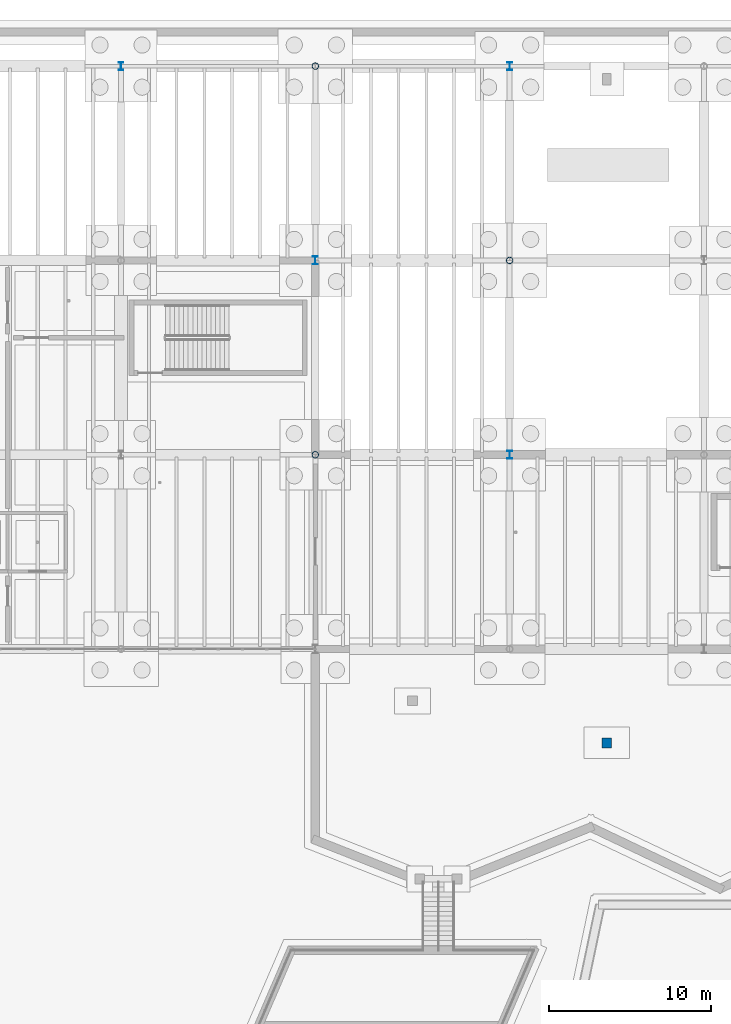
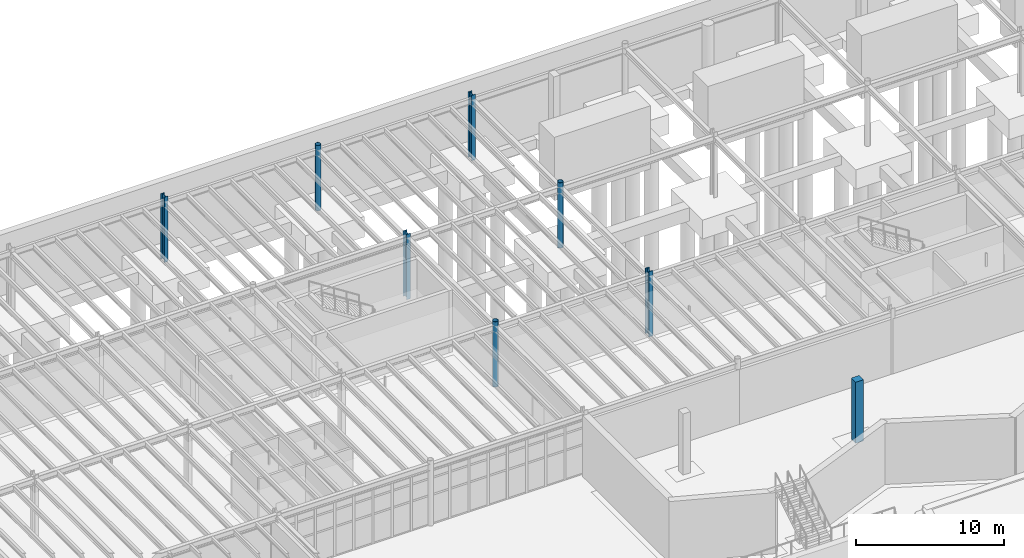
# One storey, part 15 of 67: 8 columns.
"""IFC4 building model written with IfcOpenShell, lengths in metres."""

import ifcopenshell
import ifcopenshell.guid

model = None  # the IFC model being written
_history = None  # IfcOwnerHistory: only IFC2X3 demands one
_inside = {}  # id of a spatial element -> (the spatial element, [elements in it])
_under = {}  # id of a project, library or spatial element -> (it, [spatial elements below it])
_declared = {}  # id of a project -> (the project, [libraries it declares])
_typed = {}  # id of a type object -> (the type object, [elements of that type])
_made_of = {}  # id of a material, layer set ... -> (it, [elements and type objects made of it])


def new_model(schema):
    """Start an empty IFC model of exactly this schema.

    Asked for "IFC4X3", IfcOpenShell would pick the latest addendum, in which some entities
    have other attributes; the version numbers below select the first issue.
    IFC2X3 requires an IfcOwnerHistory on every rooted entity: one is made here for all.
    """
    global model, _history
    if schema == "IFC4X3":
        model = ifcopenshell.file(schema_version=(4, 3, 0, 0))
    else:
        model = ifcopenshell.file(schema=schema)
    _inside.clear()
    _under.clear()
    _declared.clear()
    _typed.clear()
    _made_of.clear()
    _history = None
    if model.schema == "IFC2X3":
        org = make("IfcOrganization", Name="unknown")
        user = make(
            "IfcPersonAndOrganization",
            ThePerson=make("IfcPerson", FamilyName="unknown"),
            TheOrganization=org,
        )
        app = make(
            "IfcApplication",
            ApplicationDeveloper=org,
            Version="unknown",
            ApplicationFullName="unknown",
            ApplicationIdentifier="unknown",
        )
        _history = make(
            "IfcOwnerHistory",
            OwningUser=user,
            OwningApplication=app,
            ChangeAction="ADDED",
            CreationDate=0,
        )
    return model


def make(cls, **values):
    """One entity of the class cls with the attributes given. An attribute that is None is left unset."""
    return model.create_entity(
        cls, **{name: value for name, value in values.items() if value is not None}
    )


def rooted(cls, **values):
    """An entity with a GlobalId (a new one), such as an element, a storey or a relation."""
    return make(cls, GlobalId=ifcopenshell.guid.new(), OwnerHistory=_history, **values)


def si_unit(unit_type, name, prefix=None):
    """IfcSIUnit, for example si_unit("LENGTHUNIT", "METRE", prefix="MILLI")."""
    return make("IfcSIUnit", UnitType=unit_type, Prefix=prefix, Name=name)


def assignment(units):
    """IfcUnitAssignment: the units of a project."""
    return None if units is None else make("IfcUnitAssignment", Units=units)


def point(xyz):
    """IfcCartesianPoint."""
    return None if xyz is None else make("IfcCartesianPoint", Coordinates=xyz)


def direction(xyz):
    """IfcDirection."""
    return None if xyz is None else make("IfcDirection", DirectionRatios=xyz)


def frame(location, z_axis=None, x_axis=None):
    """IfcAxis2Placement3D, a coordinate frame: its origin and axes. An axis left out is left unset."""
    return make(
        "IfcAxis2Placement3D",
        Location=point(location),
        Axis=direction(z_axis),
        RefDirection=direction(x_axis),
    )


def frame_2d(location, x_axis=None):
    """IfcAxis2Placement2D, a coordinate frame in the plane: its origin and x axis."""
    return make(
        "IfcAxis2Placement2D", Location=point(location), RefDirection=direction(x_axis)
    )


def origin():
    """The frame at (0, 0, 0) with its axes left unset."""
    return frame((0.0, 0.0, 0.0))


def origin_2d():
    """The frame at (0, 0) in the plane with its x axis left unset."""
    return frame_2d((0.0, 0.0))


def place(relative_to, where):
    """IfcLocalPlacement: puts the frame where relative to a parent placement (None: the world)."""
    return make(
        "IfcLocalPlacement", PlacementRelTo=relative_to, RelativePlacement=where
    )


def context(
    kind, dimensions, precision=None, world=None, true_north=None, identifier=None
):
    """IfcGeometricRepresentationContext, for example the 3D "Model" context."""
    return make(
        "IfcGeometricRepresentationContext",
        ContextIdentifier=identifier,
        ContextType=kind,
        CoordinateSpaceDimension=dimensions,
        Precision=precision,
        WorldCoordinateSystem=world,
        TrueNorth=true_north,
    )


def subcontext(parent, identifier, kind, view, scale=None):
    """IfcGeometricRepresentationSubContext, for example "Body" below "Model"."""
    return make(
        "IfcGeometricRepresentationSubContext",
        ContextIdentifier=identifier,
        ContextType=kind,
        ParentContext=parent,
        TargetScale=scale,
        TargetView=view,
    )


def project(units=None, contexts=None):
    """IfcProject with its units and contexts."""
    return rooted(
        "IfcProject",
        Name="project",
        RepresentationContexts=contexts,
        UnitsInContext=assignment(units),
    )


def spatial(cls, under=None, at=None, **own):
    """A site, building, storey or space (cls), placed at a placement, below another one or the project."""
    s = rooted(cls, ObjectPlacement=at, **own)
    if under is not None:
        _under.setdefault(under.id(), (under, []))[1].append(s)
    return s


def profile(cls, at=None, kind="AREA", **sizes):
    """A parametric profile (cls). Its sizes go by their IFC names, for example OverallWidth=200.0."""
    return make(cls, ProfileType=kind, Position=at, **sizes)


def rectangle(**sizes):
    """IfcRectangleProfileDef."""
    return profile("IfcRectangleProfileDef", **sizes)


def hollow_circle(**sizes):
    """IfcCircleHollowProfileDef."""
    return profile("IfcCircleHollowProfileDef", **sizes)


def i_section(**sizes):
    """IfcIShapeProfileDef."""
    return profile("IfcIShapeProfileDef", **sizes)


def extrude(swept, where, along, depth):
    """IfcExtrudedAreaSolid: the profile swept, set in the frame where, extruded along a direction by depth."""
    return make(
        "IfcExtrudedAreaSolid",
        SweptArea=swept,
        Position=where,
        ExtrudedDirection=direction(along),
        Depth=depth,
    )


def shape(context_of_items, identifier, shape_type, items):
    """IfcShapeRepresentation: the items that make up one representation, for example the "Body"."""
    return make(
        "IfcShapeRepresentation",
        ContextOfItems=context_of_items,
        RepresentationIdentifier=identifier,
        RepresentationType=shape_type,
        Items=items,
    )


def material(Name=None, Category=None):
    """IfcMaterial."""
    return make("IfcMaterial", Name=Name, Category=Category)


def material_profile(
    of_material, cross_section, Name=None, Category=None, Priority=None
):
    """IfcMaterialProfile: a cross section and its material."""
    return make(
        "IfcMaterialProfile",
        Name=Name,
        Material=of_material,
        Profile=cross_section,
        Priority=Priority,
        Category=Category,
    )


def profile_set(profiles, Name=None, composite=None):
    """IfcMaterialProfileSet."""
    return make(
        "IfcMaterialProfileSet",
        Name=Name,
        MaterialProfiles=profiles,
        CompositeProfile=composite,
    )


def made_of(thing, what):
    """Note that an element or type object is made of a material, layer set ...; save() writes the relation."""
    if what is not None:
        _made_of.setdefault(what.id(), (what, []))[1].append(thing)
    return thing


def type_object(cls, material=None, **own):
    """A type object (cls), such as IfcWallType, which elements share."""
    return made_of(rooted(cls, **own), material)


def element(
    cls,
    number,
    at=None,
    inside=None,
    cuts=None,
    type_object=None,
    material=None,
    context=None,
    identifier="Body",
    shape_type=None,
    held_by="IfcProductDefinitionShape",
    body=None,
    shapes=None,
    **own,
):
    """One element of the class cls, such as IfcWall. Its Tag is "e" and its number.

    at: its placement. inside: the storey or other place that contains it. cuts: it is an
    opening in that element (IfcRelVoidsElement). A single representation is given by context,
    identifier, shape_type and body (its items); several are given by shapes. held_by: the class
    of the entity that holds the representations. save() writes the other relations.
    """
    e = rooted(cls, Tag="e%d" % number, ObjectPlacement=at, **own)
    if body is not None:
        shapes = [shape(context, identifier, shape_type, body)]
    if shapes is not None:
        e.Representation = make(held_by, Representations=shapes)
    if inside is not None:
        _inside.setdefault(inside.id(), (inside, []))[1].append(e)
    if cuts is not None:
        rooted(
            "IfcRelVoidsElement", RelatingBuildingElement=cuts, RelatedOpeningElement=e
        )
    if type_object is not None:
        _typed.setdefault(type_object.id(), (type_object, []))[1].append(e)
    return made_of(e, material)


def aggregate(whole, parts):
    """IfcRelAggregates: a whole, such as a stair, and the parts it consists of."""
    return rooted("IfcRelAggregates", RelatingObject=whole, RelatedObjects=parts)


def save(model, path):
    """Write the relations noted so far, then the file.

    IfcRelAggregates (storeys below a building ...), IfcRelContainedInSpatialStructure (elements
    in a storey), IfcRelDefinesByType, IfcRelAssociatesMaterial and IfcRelDeclares: one each for
    every whole, place, type object, material and project.
    """
    for whole, parts in _under.values():
        aggregate(whole, parts)
    for where, things in _inside.values():
        rooted(
            "IfcRelContainedInSpatialStructure",
            RelatedElements=things,
            RelatingStructure=where,
        )
    for kind, things in _typed.values():
        rooted("IfcRelDefinesByType", RelatedObjects=things, RelatingType=kind)
    for what, things in _made_of.values():
        rooted("IfcRelAssociatesMaterial", RelatedObjects=things, RelatingMaterial=what)
    for by, libraries in _declared.values():
        rooted("IfcRelDeclares", RelatingContext=by, RelatedDefinitions=libraries)
    model.write(path)


model = new_model("IFC4")

# Units and contexts
model_context = context("Model", 3, precision=1e-05, world=origin(), true_north=direction((0.0, 1.0)))
body_context = subcontext(model_context, "Body", "Model", "MODEL_VIEW")
ifc_project = project(units=[si_unit("LENGTHUNIT", "METRE"), si_unit("AREAUNIT", "SQUARE_METRE"), si_unit("VOLUMEUNIT", "CUBIC_METRE"), si_unit("PLANEANGLEUNIT", "RADIAN"), si_unit("MASSUNIT", "GRAM", prefix="KILO")], contexts=[model_context])

# Site, building, storey
site_placement = place(None, origin())
site = spatial("IfcSite", under=ifc_project, at=site_placement, CompositionType="ELEMENT")
building_placement = place(site_placement, origin())
building = spatial("IfcBuilding", under=site, at=building_placement, Name="Zlatogorsky Bluff Art Gallery", CompositionType="ELEMENT")
storey_placement = place(building_placement, frame((0.0, 0.0, -5.39990234375)))
storey = spatial("IfcBuildingStorey", under=building, at=storey_placement, Name="B1", CompositionType="ELEMENT", Elevation=-5.39990234375)

# Columns
ifc_material_1 = material(Name="Steel S355", Category="steel")
ifc_material_profile_1 = material_profile(ifc_material_1, i_section(OverallWidth=0.300048828125, OverallDepth=0.5, WebThickness=0.014404296875, FlangeThickness=0.028076171875, FilletRadius=0.027099609375, at=origin_2d()), Name="HEB 500")
ifc_profile_set_1 = profile_set([ifc_material_profile_1], Name="Steel S355")
column_type_1 = type_object("IfcColumnType", Name="Column CL-02 HEB 500", PredefinedType="COLUMN", material=ifc_profile_set_1)
for number, where, z_axis, x_axis, name in (
    (1, (36.0, 120.0, 0.0), (0.0, 0.0, 1.0), (1.0, 0.0, 0.0), "Column CL-02 B1 D12"),
    (2, (48.0, 108.0, 0.0), (0.0, 0.0, 1.0), (1.0, 0.0, 0.0), "Column CL-02 B1 E11"),
    (3, (60.0, 96.0, 0.0), (0.0, 0.0, 1.0), (1.0, 0.0, 0.0), "Column CL-02 B1 F10"),
    (4, (60.0, 120.0, 0.0), (0.0, 0.0, 1.0), (1.0, 0.0, 0.0), "Column CL-02 B1 F12"),
):
    element("IfcColumn", number, at=place(storey_placement, frame(where, z_axis=z_axis, x_axis=x_axis)), inside=storey, type_object=column_type_1, Name=name, PredefinedType="COLUMN", context=body_context, shape_type="SweptSolid", body=[
        extrude(i_section(OverallWidth=0.300048828125, OverallDepth=0.5, WebThickness=0.014404296875, FlangeThickness=0.028076171875, FilletRadius=0.027099609375, at=origin_2d()), origin(), (0.0, 0.0, 1.0), 5.39990234375),
    ])
ifc_material_profile_2 = material_profile(ifc_material_1, hollow_circle(Radius=0.203125, WallThickness=0.01611328125, at=origin_2d()), Name="CHS 406.4x16")
ifc_profile_set_2 = profile_set([ifc_material_profile_2], Name="Steel S355")
column_type_2 = type_object("IfcColumnType", Name="Column CL-09 CHS 406.4x16", PredefinedType="COLUMN", material=ifc_profile_set_2)
for number, where, z_axis, x_axis, name in (
    (5, (48.0, 96.0, 0.0), (0.0, 0.0, 1.0), (1.0, 0.0, 0.0), "Column CL-09 B1 E10"),
    (6, (48.0, 120.0, 0.0), (0.0, 0.0, 1.0), (1.0, 0.0, 0.0), "Column CL-09 B1 E12"),
    (7, (60.0, 108.0, 0.0), (0.0, 0.0, 1.0), (1.0, 0.0, 0.0), "Column CL-09 B1 F11"),
):
    element("IfcColumn", number, at=place(storey_placement, frame(where, z_axis=z_axis, x_axis=x_axis)), inside=storey, type_object=column_type_2, Name=name, PredefinedType="COLUMN", context=body_context, shape_type="SweptSolid", body=[
        extrude(hollow_circle(Radius=0.203125, WallThickness=0.01611328125, at=origin_2d()), origin(), (0.0, 0.0, 1.0), 5.39990234375),
    ])
ifc_material_2 = material(Name="Concrete C35/45", Category="concrete")
ifc_material_profile_3 = material_profile(ifc_material_2, rectangle(XDim=0.60009765625, YDim=0.60009765625, at=origin_2d()), Name="RC 600x600")
ifc_profile_set_3 = profile_set([ifc_material_profile_3], Name="Concrete C35/45")
column_type_3 = type_object("IfcColumnType", Name="Column CL-15 RC 600x600", PredefinedType="COLUMN", material=ifc_profile_set_3)
column_placement = place(storey_placement, frame((66.0, 78.199951171875, 0.0), z_axis=(0.0, 0.0, 1.0), x_axis=(1.0, 0.0, 0.0)))
element("IfcColumn", 8, at=column_placement, inside=storey, type_object=column_type_3, Name="Concourse rim terrace substructure pier 1", PredefinedType="COLUMN", context=body_context, shape_type="SweptSolid", body=[
    extrude(rectangle(XDim=0.60009765625, YDim=0.60009765625, at=origin_2d()), origin(), (0.0, 0.0, 1.0), 5.039794921875),
])

save(model, "model.ifc")
